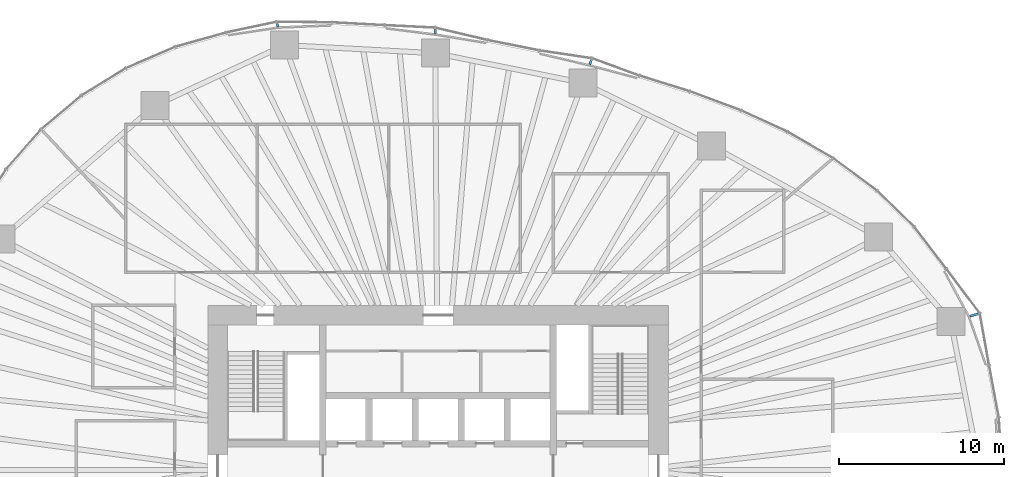
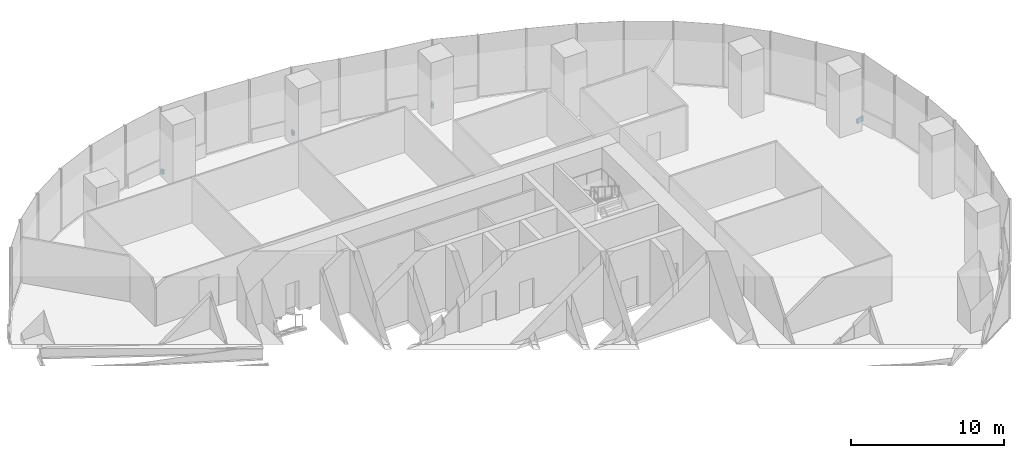
# One storey, part 15 of 20: 4 discrete accessories.
"""IFC4 building model written with IfcOpenShell, lengths in metres."""

import ifcopenshell
import ifcopenshell.guid

model = None  # the IFC model being written
_history = None  # IfcOwnerHistory: only IFC2X3 demands one
_inside = {}  # id of a spatial element -> (the spatial element, [elements in it])
_under = {}  # id of a project, library or spatial element -> (it, [spatial elements below it])
_declared = {}  # id of a project -> (the project, [libraries it declares])
_typed = {}  # id of a type object -> (the type object, [elements of that type])
_made_of = {}  # id of a material, layer set ... -> (it, [elements and type objects made of it])


def new_model(schema):
    """Start an empty IFC model of exactly this schema.

    Asked for "IFC4X3", IfcOpenShell would pick the latest addendum, in which some entities
    have other attributes; the version numbers below select the first issue.
    IFC2X3 requires an IfcOwnerHistory on every rooted entity: one is made here for all.
    """
    global model, _history
    if schema == "IFC4X3":
        model = ifcopenshell.file(schema_version=(4, 3, 0, 0))
    else:
        model = ifcopenshell.file(schema=schema)
    _inside.clear()
    _under.clear()
    _declared.clear()
    _typed.clear()
    _made_of.clear()
    _history = None
    if model.schema == "IFC2X3":
        org = make("IfcOrganization", Name="unknown")
        user = make(
            "IfcPersonAndOrganization",
            ThePerson=make("IfcPerson", FamilyName="unknown"),
            TheOrganization=org,
        )
        app = make(
            "IfcApplication",
            ApplicationDeveloper=org,
            Version="unknown",
            ApplicationFullName="unknown",
            ApplicationIdentifier="unknown",
        )
        _history = make(
            "IfcOwnerHistory",
            OwningUser=user,
            OwningApplication=app,
            ChangeAction="ADDED",
            CreationDate=0,
        )
    return model


def make(cls, **values):
    """One entity of the class cls with the attributes given. An attribute that is None is left unset."""
    return model.create_entity(
        cls, **{name: value for name, value in values.items() if value is not None}
    )


def rooted(cls, **values):
    """An entity with a GlobalId (a new one), such as an element, a storey or a relation."""
    return make(cls, GlobalId=ifcopenshell.guid.new(), OwnerHistory=_history, **values)


def si_unit(unit_type, name, prefix=None):
    """IfcSIUnit, for example si_unit("LENGTHUNIT", "METRE", prefix="MILLI")."""
    return make("IfcSIUnit", UnitType=unit_type, Prefix=prefix, Name=name)


def assignment(units):
    """IfcUnitAssignment: the units of a project."""
    return None if units is None else make("IfcUnitAssignment", Units=units)


def point(xyz):
    """IfcCartesianPoint."""
    return None if xyz is None else make("IfcCartesianPoint", Coordinates=xyz)


def direction(xyz):
    """IfcDirection."""
    return None if xyz is None else make("IfcDirection", DirectionRatios=xyz)


def frame(location, z_axis=None, x_axis=None):
    """IfcAxis2Placement3D, a coordinate frame: its origin and axes. An axis left out is left unset."""
    return make(
        "IfcAxis2Placement3D",
        Location=point(location),
        Axis=direction(z_axis),
        RefDirection=direction(x_axis),
    )


def frame_2d(location, x_axis=None):
    """IfcAxis2Placement2D, a coordinate frame in the plane: its origin and x axis."""
    return make(
        "IfcAxis2Placement2D", Location=point(location), RefDirection=direction(x_axis)
    )


def origin():
    """The frame at (0, 0, 0) with its axes left unset."""
    return frame((0.0, 0.0, 0.0))


def origin_2d():
    """The frame at (0, 0) in the plane with its x axis left unset."""
    return frame_2d((0.0, 0.0))


def place(relative_to, where):
    """IfcLocalPlacement: puts the frame where relative to a parent placement (None: the world)."""
    return make(
        "IfcLocalPlacement", PlacementRelTo=relative_to, RelativePlacement=where
    )


def context(
    kind, dimensions, precision=None, world=None, true_north=None, identifier=None
):
    """IfcGeometricRepresentationContext, for example the 3D "Model" context."""
    return make(
        "IfcGeometricRepresentationContext",
        ContextIdentifier=identifier,
        ContextType=kind,
        CoordinateSpaceDimension=dimensions,
        Precision=precision,
        WorldCoordinateSystem=world,
        TrueNorth=true_north,
    )


def subcontext(parent, identifier, kind, view, scale=None):
    """IfcGeometricRepresentationSubContext, for example "Body" below "Model"."""
    return make(
        "IfcGeometricRepresentationSubContext",
        ContextIdentifier=identifier,
        ContextType=kind,
        ParentContext=parent,
        TargetScale=scale,
        TargetView=view,
    )


def project(units=None, contexts=None):
    """IfcProject with its units and contexts."""
    return rooted(
        "IfcProject",
        Name="project",
        RepresentationContexts=contexts,
        UnitsInContext=assignment(units),
    )


def spatial(cls, under=None, at=None, **own):
    """A site, building, storey or space (cls), placed at a placement, below another one or the project."""
    s = rooted(cls, ObjectPlacement=at, **own)
    if under is not None:
        _under.setdefault(under.id(), (under, []))[1].append(s)
    return s


def profile(cls, at=None, kind="AREA", **sizes):
    """A parametric profile (cls). Its sizes go by their IFC names, for example OverallWidth=200.0."""
    return make(cls, ProfileType=kind, Position=at, **sizes)


def rectangle(**sizes):
    """IfcRectangleProfileDef."""
    return profile("IfcRectangleProfileDef", **sizes)


def extrude(swept, where, along, depth):
    """IfcExtrudedAreaSolid: the profile swept, set in the frame where, extruded along a direction by depth."""
    return make(
        "IfcExtrudedAreaSolid",
        SweptArea=swept,
        Position=where,
        ExtrudedDirection=direction(along),
        Depth=depth,
    )


def shape(context_of_items, identifier, shape_type, items):
    """IfcShapeRepresentation: the items that make up one representation, for example the "Body"."""
    return make(
        "IfcShapeRepresentation",
        ContextOfItems=context_of_items,
        RepresentationIdentifier=identifier,
        RepresentationType=shape_type,
        Items=items,
    )


def material(Name=None, Category=None):
    """IfcMaterial."""
    return make("IfcMaterial", Name=Name, Category=Category)


def made_of(thing, what):
    """Note that an element or type object is made of a material, layer set ...; save() writes the relation."""
    if what is not None:
        _made_of.setdefault(what.id(), (what, []))[1].append(thing)
    return thing


def type_object(cls, material=None, **own):
    """A type object (cls), such as IfcWallType, which elements share."""
    return made_of(rooted(cls, **own), material)


def element(
    cls,
    number,
    at=None,
    inside=None,
    cuts=None,
    type_object=None,
    material=None,
    context=None,
    identifier="Body",
    shape_type=None,
    held_by="IfcProductDefinitionShape",
    body=None,
    shapes=None,
    **own,
):
    """One element of the class cls, such as IfcWall. Its Tag is "e" and its number.

    at: its placement. inside: the storey or other place that contains it. cuts: it is an
    opening in that element (IfcRelVoidsElement). A single representation is given by context,
    identifier, shape_type and body (its items); several are given by shapes. held_by: the class
    of the entity that holds the representations. save() writes the other relations.
    """
    e = rooted(cls, Tag="e%d" % number, ObjectPlacement=at, **own)
    if body is not None:
        shapes = [shape(context, identifier, shape_type, body)]
    if shapes is not None:
        e.Representation = make(held_by, Representations=shapes)
    if inside is not None:
        _inside.setdefault(inside.id(), (inside, []))[1].append(e)
    if cuts is not None:
        rooted(
            "IfcRelVoidsElement", RelatingBuildingElement=cuts, RelatedOpeningElement=e
        )
    if type_object is not None:
        _typed.setdefault(type_object.id(), (type_object, []))[1].append(e)
    return made_of(e, material)


def aggregate(whole, parts):
    """IfcRelAggregates: a whole, such as a stair, and the parts it consists of."""
    return rooted("IfcRelAggregates", RelatingObject=whole, RelatedObjects=parts)


def save(model, path):
    """Write the relations noted so far, then the file.

    IfcRelAggregates (storeys below a building ...), IfcRelContainedInSpatialStructure (elements
    in a storey), IfcRelDefinesByType, IfcRelAssociatesMaterial and IfcRelDeclares: one each for
    every whole, place, type object, material and project.
    """
    for whole, parts in _under.values():
        aggregate(whole, parts)
    for where, things in _inside.values():
        rooted(
            "IfcRelContainedInSpatialStructure",
            RelatedElements=things,
            RelatingStructure=where,
        )
    for kind, things in _typed.values():
        rooted("IfcRelDefinesByType", RelatedObjects=things, RelatingType=kind)
    for what, things in _made_of.values():
        rooted("IfcRelAssociatesMaterial", RelatedObjects=things, RelatingMaterial=what)
    for by, libraries in _declared.values():
        rooted("IfcRelDeclares", RelatingContext=by, RelatedDefinitions=libraries)
    model.write(path)


model = new_model("IFC4")

# Units and contexts
model_context = context("Model", 3, precision=1e-05, world=origin(), true_north=direction((0.0, 1.0)))
body_context = subcontext(model_context, "Body", "Model", "MODEL_VIEW")
ifc_project = project(units=[si_unit("LENGTHUNIT", "METRE"), si_unit("AREAUNIT", "SQUARE_METRE"), si_unit("VOLUMEUNIT", "CUBIC_METRE"), si_unit("PLANEANGLEUNIT", "RADIAN"), si_unit("MASSUNIT", "GRAM", prefix="KILO")], contexts=[model_context])

# Site, building, storey
site_placement = place(None, origin())
site = spatial("IfcSite", under=ifc_project, at=site_placement, CompositionType="ELEMENT")
building_placement = place(site_placement, origin())
building = spatial("IfcBuilding", under=site, at=building_placement, Name="Ghaith Harvest Tower", CompositionType="ELEMENT")
storey_placement = place(building_placement, frame((0.0, 0.0, 65.0)))
storey = spatial("IfcBuildingStorey", under=building, at=storey_placement, Name="L13", CompositionType="ELEMENT", Elevation=65.0)

# Discrete accessories
ifc_material_1 = material(Name="Stainless steel grade 1.4401", Category="steel")
discrete_accessory_type_1 = type_object("IfcDiscreteAccessoryType", Name="CURTAIN WALL BRACKET 205", PredefinedType="BRACKET", material=ifc_material_1)
discrete_accessory_1_placement = place(storey_placement, frame((-9.766845703125, 27.04150390625, -0.25), z_axis=(0.0, 0.0, 1.0), x_axis=(-0.339699453402, 0.94053404051, 0.0)))
element("IfcDiscreteAccessory", 1, at=discrete_accessory_1_placement, inside=storey, type_object=discrete_accessory_type_1, Name="CW-F bracket 1 bay 07 L13", PredefinedType="BRACKET", context=body_context, shape_type="SweptSolid", body=[
    extrude(rectangle(XDim=0.205078125, YDim=0.14990234375, at=origin_2d()), origin(), (0.0, 0.0, 1.0), 0.35009765625),
])
ifc_material_2 = material(Name="Stainless steel grade 1.4401", Category="steel")
discrete_accessory_type_2 = type_object("IfcDiscreteAccessoryType", Name="CURTAIN WALL BRACKET 255", PredefinedType="BRACKET", material=ifc_material_2)
discrete_accessory_2_placement = place(storey_placement, frame((-0.182373046875, 26.649658203125, -0.25), z_axis=(0.0, 0.0, 1.0), x_axis=(-0.006843747783, 0.999976581284, 0.0)))
element("IfcDiscreteAccessory", 2, at=discrete_accessory_2_placement, inside=storey, type_object=discrete_accessory_type_2, Name="CW-F bracket 1 bay 06 L13", PredefinedType="BRACKET", context=body_context, shape_type="SweptSolid", body=[
    extrude(rectangle(XDim=0.2548828125, YDim=0.14990234375, at=origin_2d()), origin(), (0.0, 0.0, 1.0), 0.35009765625),
])
ifc_material_3 = material(Name="Stainless steel grade 1.4401", Category="steel")
discrete_accessory_type_3 = type_object("IfcDiscreteAccessoryType", Name="CURTAIN WALL BRACKET 295", PredefinedType="BRACKET", material=ifc_material_3)
discrete_accessory_3_placement = place(storey_placement, frame((9.265380859375, 24.7841796875, -0.25), z_axis=(0.0, 0.0, 1.0), x_axis=(0.35016769709, 0.936687025593, 0.0)))
element("IfcDiscreteAccessory", 3, at=discrete_accessory_3_placement, inside=storey, type_object=discrete_accessory_type_3, Name="CW-F bracket 1 bay 05 L13", PredefinedType="BRACKET", context=body_context, shape_type="SweptSolid", body=[
    extrude(rectangle(XDim=0.294921875, YDim=0.14990234375, at=origin_2d()), origin(), (0.0, 0.0, 1.0), 0.35009765625),
])
ifc_material_4 = material(Name="Stainless steel grade 1.4401", Category="steel")
discrete_accessory_type_4 = type_object("IfcDiscreteAccessoryType", Name="CURTAIN WALL BRACKET 535", PredefinedType="BRACKET", material=ifc_material_4)
discrete_accessory_4_placement = place(storey_placement, frame((32.570556640625, 9.41357421875, -0.25), z_axis=(0.0, 0.0, 1.0), x_axis=(0.960680349985, 0.277656739792, 0.0)))
element("IfcDiscreteAccessory", 4, at=discrete_accessory_4_placement, inside=storey, type_object=discrete_accessory_type_4, Name="CW-F bracket 1 bay 02 L13", PredefinedType="BRACKET", context=body_context, shape_type="SweptSolid", body=[
    extrude(rectangle(XDim=0.534912109375, YDim=0.14990234375, at=origin_2d()), origin(), (0.0, 0.0, 1.0), 0.35009765625),
])

save(model, "model.ifc")
